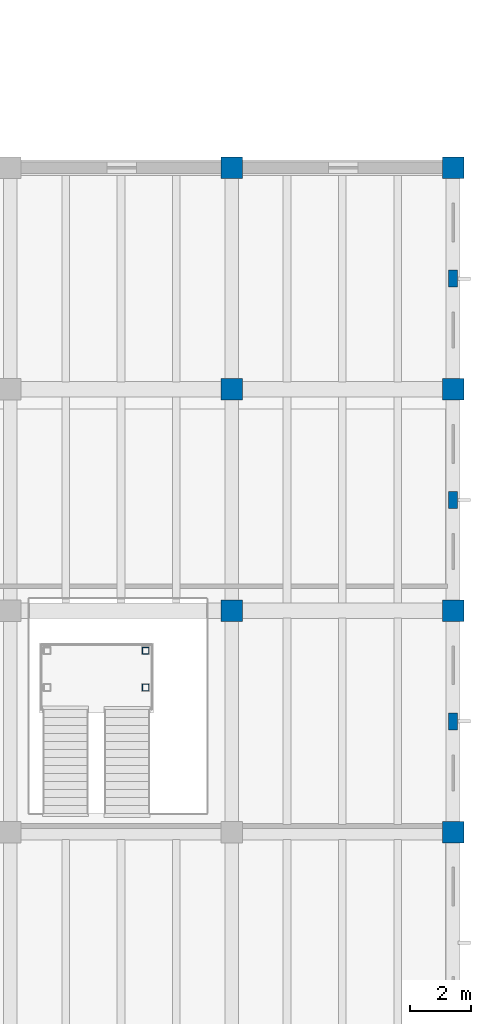
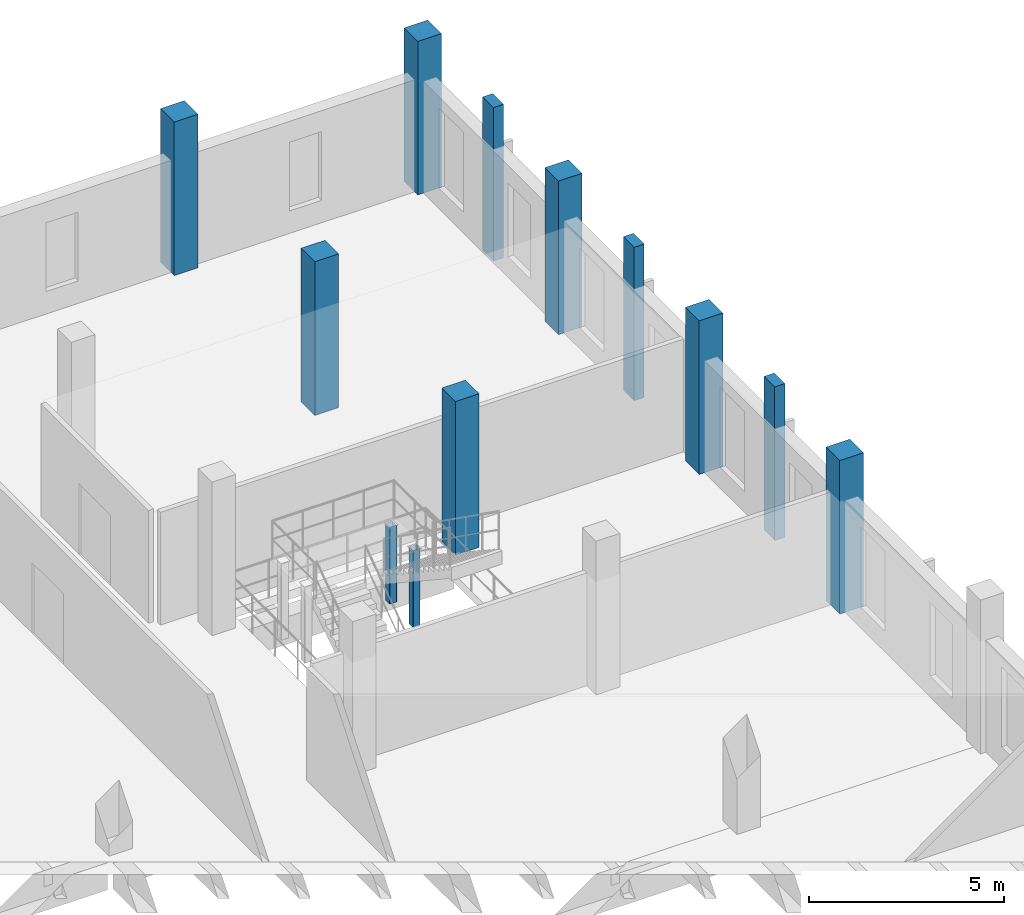
# One storey, part 18 of 77: 12 columns.
"""IFC4 building model written with IfcOpenShell, lengths in metres."""

from ifc_helpers import new_model, si_unit, direction, frame, origin, origin_2d, place, context, subcontext, project, spatial, rectangle, hollow_rectangle, extrude, material, material_profile, profile_set, type_object, element, save


model = new_model("IFC4")

# Units and contexts
model_context = context("Model", 3, precision=1e-05, world=origin(), true_north=direction((0.0, 1.0)))
body_context = subcontext(model_context, "Body", "Model", "MODEL_VIEW")
ifc_project = project(units=[si_unit("LENGTHUNIT", "METRE"), si_unit("AREAUNIT", "SQUARE_METRE"), si_unit("VOLUMEUNIT", "CUBIC_METRE"), si_unit("PLANEANGLEUNIT", "RADIAN"), si_unit("MASSUNIT", "GRAM", prefix="KILO")], contexts=[model_context])

# Site, building, storey
site_placement = place(None, origin())
site = spatial("IfcSite", under=ifc_project, at=site_placement, CompositionType="ELEMENT")
building_placement = place(site_placement, origin())
building = spatial("IfcBuilding", under=site, at=building_placement, Name="Qiaolan Assembly House", CompositionType="ELEMENT")
storey_placement = place(building_placement, frame((0.0, 0.0, 5.39990234375)))
storey = spatial("IfcBuildingStorey", under=building, at=storey_placement, Name="L01", CompositionType="ELEMENT", Elevation=5.39990234375)

# Columns
ifc_material_1 = material(Name="Concrete C40/50", Category="concrete")
ifc_material_profile_1 = material_profile(ifc_material_1, rectangle(XDim=0.699951171875, YDim=0.699951171875, at=origin_2d()), Name="RC 700x700")
ifc_profile_set_1 = profile_set([ifc_material_profile_1], Name="Concrete C40/50")
column_type_1 = type_object("IfcColumnType", Name="COL-RC-700", PredefinedType="COLUMN", material=ifc_profile_set_1)
for number, where, z_axis, x_axis, name in (
    (1, (165.60009765625, 72.0, 0.0), (0.0, 0.0, 1.0), (1.0, 0.0, 0.0), "RC-07 library column L01"),
    (2, (165.60009765625, 79.199951171875, 0.0), (0.0, 0.0, 1.0), (1.0, 0.0, 0.0), "RC-07 library column L01"),
    (3, (165.60009765625, 86.39990234375, 0.0), (0.0, 0.0, 1.0), (1.0, 0.0, 0.0), "RC-07 library column L01"),
    (4, (172.800048828125, 64.800048828125, 0.0), (0.0, 0.0, 1.0), (1.0, 0.0, 0.0), "RC-07 library column L01"),
    (5, (172.800048828125, 72.0, 0.0), (0.0, 0.0, 1.0), (1.0, 0.0, 0.0), "RC-07 library column L01"),
    (6, (172.800048828125, 79.199951171875, 0.0), (0.0, 0.0, 1.0), (1.0, 0.0, 0.0), "RC-07 library column L01"),
    (7, (172.800048828125, 86.39990234375, 0.0), (0.0, 0.0, 1.0), (1.0, 0.0, 0.0), "RC-07 library column L01"),
):
    element("IfcColumn", number, at=place(storey_placement, frame(where, z_axis=z_axis, x_axis=x_axis)), inside=storey, type_object=column_type_1, Name=name, PredefinedType="COLUMN", context=body_context, shape_type="SweptSolid", body=[
        extrude(rectangle(XDim=0.699951171875, YDim=0.699951171875, at=origin_2d()), origin(), (0.0, 0.0, 1.0), 4.800048828125),
    ])
ifc_material_2 = material(Name="Steel Q355B", Category="steel")
ifc_material_profile_2 = material_profile(ifc_material_2, hollow_rectangle(XDim=0.219970703125, YDim=0.219970703125, WallThickness=0.010009765625, InnerFilletRadius=0.010009765625, OuterFilletRadius=0.02001953125, at=origin_2d()), Name="SHS 220x220x10")
ifc_profile_set_2 = profile_set([ifc_material_profile_2], Name="Steel Q355B")
column_type_2 = type_object("IfcColumnType", Name="COL-STL-SHS220", PredefinedType="COLUMN", material=ifc_profile_set_2)
for number, where, z_axis, x_axis, name in (
    (8, (162.800048828125, 69.5, 0.0), (0.0, 0.0, 1.0), (1.0, 0.0, 0.0), "SC-08 library stair L01 column 2"),
    (9, (162.800048828125, 70.699951171875, 0.0), (0.0, 0.0, 1.0), (1.0, 0.0, 0.0), "SC-08 library stair L01 column 4"),
):
    element("IfcColumn", number, at=place(storey_placement, frame(where, z_axis=z_axis, x_axis=x_axis)), inside=storey, type_object=column_type_2, Name=name, PredefinedType="COLUMN", context=body_context, shape_type="SweptSolid", body=[
        extrude(hollow_rectangle(XDim=0.219970703125, YDim=0.219970703125, WallThickness=0.010009765625, InnerFilletRadius=0.010009765625, OuterFilletRadius=0.02001953125, at=origin_2d()), origin(), (0.0, 0.0, 1.0), 2.400146484375),
    ])
ifc_material_3 = material(Name="Precast concrete C45/55", Category="concrete")
ifc_material_profile_3 = material_profile(ifc_material_3, rectangle(XDim=0.550048828125, YDim=0.300048828125, at=origin_2d()), Name="PIL 550x300")
ifc_profile_set_3 = profile_set([ifc_material_profile_3], Name="Precast concrete C45/55")
column_type_3 = type_object("IfcColumnType", Name="PIL-LIB-550x300", PredefinedType="PILASTER", material=ifc_profile_set_3)
for number, where, z_axis, x_axis, name in (
    (10, (172.800048828125, 68.39990234375, 0.0), (0.0, 0.0, 1.0), (0.0, 1.0, 0.0), "PL-04 library pilaster L01"),
    (11, (172.800048828125, 75.60009765625, 0.0), (0.0, 0.0, 1.0), (0.0, 1.0, 0.0), "PL-04 library pilaster L01"),
    (12, (172.800048828125, 82.800048828125, 0.0), (0.0, 0.0, 1.0), (0.0, 1.0, 0.0), "PL-04 library pilaster L01"),
):
    element("IfcColumn", number, at=place(storey_placement, frame(where, z_axis=z_axis, x_axis=x_axis)), inside=storey, type_object=column_type_3, Name=name, PredefinedType="PILASTER", context=body_context, shape_type="SweptSolid", body=[
        extrude(rectangle(XDim=0.550048828125, YDim=0.300048828125, at=origin_2d()), origin(), (0.0, 0.0, 1.0), 4.800048828125),
    ])

save(model, "model.ifc")
